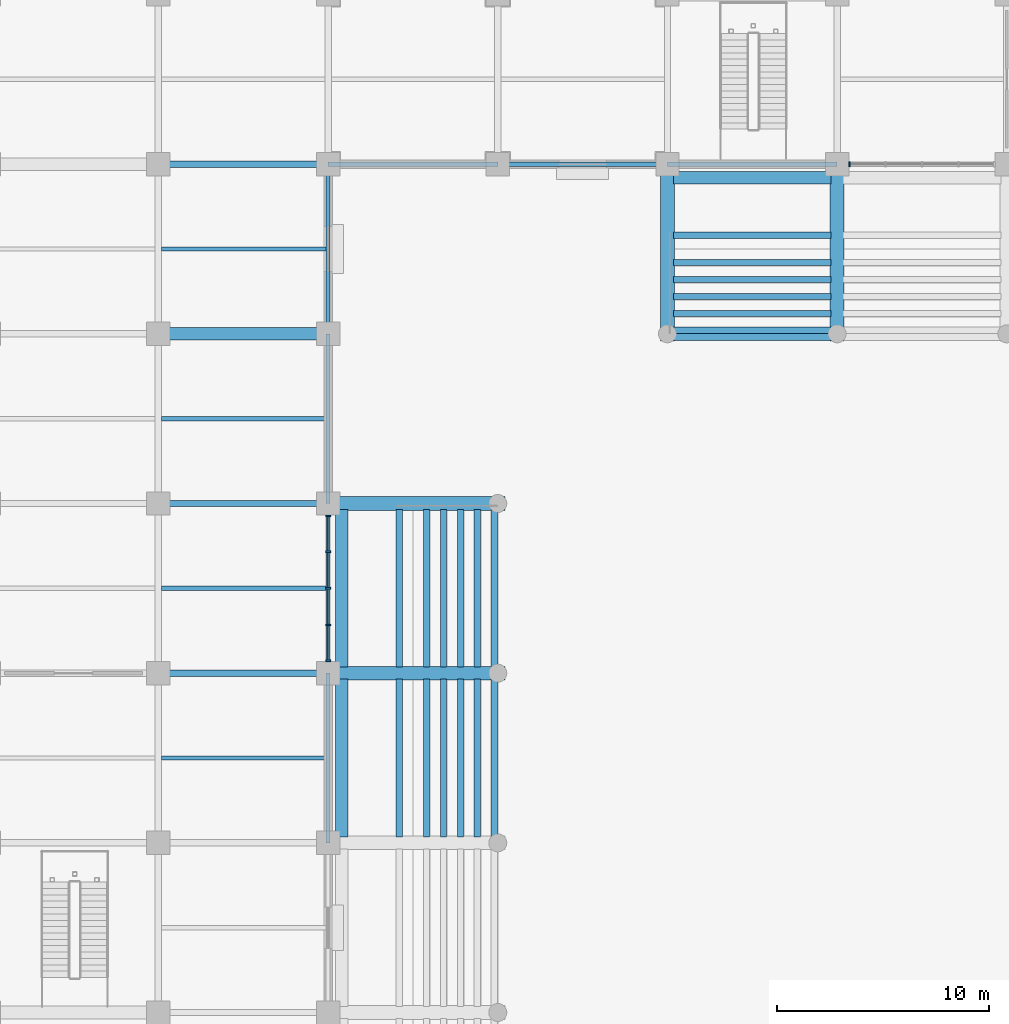
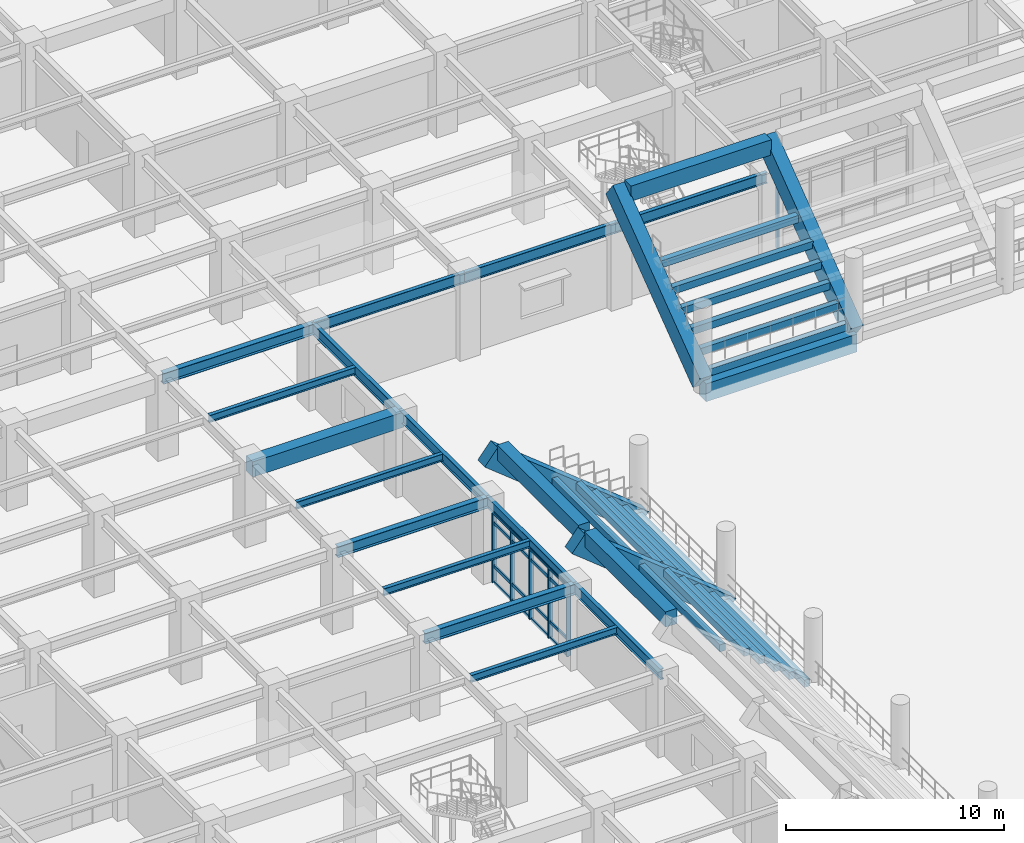
# One storey, part 45 of 125: 41 beams, 22 members, 2 elements without a shape of their own.
"""IFC4 building model written with IfcOpenShell, lengths in metres."""

from ifc_helpers import new_model, si_unit, direction, frame, origin, origin_2d, place, context, subcontext, project, spatial, rectangle, i_section, extrude, material, layer, layer_set, material_profile, profile_set, type_object, element, aggregate, save


model = new_model("IFC4")

# Units and contexts
model_context = context("Model", 3, precision=1e-05, world=origin(), true_north=direction((0.0, 1.0)))
body_context = subcontext(model_context, "Body", "Model", "MODEL_VIEW")
ifc_project = project(units=[si_unit("LENGTHUNIT", "METRE"), si_unit("AREAUNIT", "SQUARE_METRE"), si_unit("VOLUMEUNIT", "CUBIC_METRE"), si_unit("PLANEANGLEUNIT", "RADIAN"), si_unit("MASSUNIT", "GRAM", prefix="KILO")], contexts=[model_context])

# Site, building, storey
site_placement = place(None, origin())
site = spatial("IfcSite", under=ifc_project, at=site_placement, CompositionType="ELEMENT")
building_placement = place(site_placement, origin())
building = spatial("IfcBuilding", under=site, at=building_placement, Name="Haebicheon Civic Stadium", CompositionType="ELEMENT")
storey_placement = place(building_placement, origin())
storey = spatial("IfcBuildingStorey", under=building, at=storey_placement, Name="L01", CompositionType="ELEMENT", Elevation=0.0)

# Beams
ifc_material_1 = material(Name="Precast concrete C40/50", Category="concrete")
ifc_material_profile_1 = material_profile(ifc_material_1, rectangle(XDim=0.300048828125, YDim=0.39990234375, at=origin_2d()), Name="PC-LN-300x400")
ifc_profile_set_1 = profile_set([ifc_material_profile_1], Name="Precast concrete C40/50")
beam_type_1 = type_object("IfcBeamType", Name="BM-LN-300x400", PredefinedType="LINTEL", material=ifc_profile_set_1)
for number, where, z_axis, x_axis, name in (
    (1, (71.840087890625, 120.280029296875, 0.760009765625), (0.0, 1.0, 0.0), (-1.0, 0.0, 0.0), "TIER-W-L precast step carrier beam 10.1"),
    (2, (71.0400390625, 120.280029296875, 1.470947265625), (0.0, 1.0, 0.0), (-1.0, 0.0, 0.0), "TIER-W-L precast step carrier beam 10.2"),
    (3, (70.239990234375, 120.280029296875, 2.181884765625), (0.0, 1.0, 0.0), (-1.0, 0.0, 0.0), "TIER-W-L precast step carrier beam 10.3"),
    (4, (69.43994140625, 120.280029296875, 2.89306640625), (0.0, 1.0, 0.0), (-1.0, 0.0, 0.0), "TIER-W-L precast step carrier beam 10.4"),
    (5, (68.639892578125, 120.280029296875, 3.60400390625), (0.0, 1.0, 0.0), (-1.0, 0.0, 0.0), "TIER-W-L precast step carrier beam 10.5"),
    (6, (67.360107421875, 120.280029296875, 4.31591796875), (0.0, 1.0, 0.0), (-1.0, 0.0, 0.0), "TIER-W-L precast step carrier beam 10.6"),
    (7, (71.840087890625, 128.280029296875, 0.760009765625), (0.0, 1.0, 0.0), (-1.0, 0.0, 0.0), "TIER-W-L precast step carrier beam 11.1"),
    (8, (71.0400390625, 128.280029296875, 1.470947265625), (0.0, 1.0, 0.0), (-1.0, 0.0, 0.0), "TIER-W-L precast step carrier beam 11.2"),
    (9, (70.239990234375, 128.280029296875, 2.181884765625), (0.0, 1.0, 0.0), (-1.0, 0.0, 0.0), "TIER-W-L precast step carrier beam 11.3"),
    (10, (69.43994140625, 128.280029296875, 2.89306640625), (0.0, 1.0, 0.0), (-1.0, 0.0, 0.0), "TIER-W-L precast step carrier beam 11.4"),
    (11, (68.639892578125, 128.280029296875, 3.60400390625), (0.0, 1.0, 0.0), (-1.0, 0.0, 0.0), "TIER-W-L precast step carrier beam 11.5"),
    (12, (67.360107421875, 128.280029296875, 4.31591796875), (0.0, 1.0, 0.0), (-1.0, 0.0, 0.0), "TIER-W-L precast step carrier beam 11.6"),
    (13, (80.280029296875, 144.159912109375, 0.760009765625), (1.0, 0.0, 0.0), (0.0, 1.0, 0.0), "TIER-N-L precast step carrier beam 1.1"),
    (14, (80.280029296875, 144.9599609375, 1.427001953125), (1.0, 0.0, 0.0), (0.0, 1.0, 0.0), "TIER-N-L precast step carrier beam 1.2"),
    (15, (80.280029296875, 145.760009765625, 2.093017578125), (1.0, 0.0, 0.0), (0.0, 1.0, 0.0), "TIER-N-L precast step carrier beam 1.3"),
    (16, (80.280029296875, 146.56005859375, 2.760009765625), (1.0, 0.0, 0.0), (0.0, 1.0, 0.0), "TIER-N-L precast step carrier beam 1.4"),
    (17, (80.280029296875, 147.360107421875, 3.427001953125), (1.0, 0.0, 0.0), (0.0, 1.0, 0.0), "TIER-N-L precast step carrier beam 1.5"),
    (18, (80.280029296875, 148.639892578125, 4.093017578125), (1.0, 0.0, 0.0), (0.0, 1.0, 0.0), "TIER-N-L precast step carrier beam 1.6"),
):
    element("IfcBeam", number, at=place(storey_placement, frame(where, z_axis=z_axis, x_axis=x_axis)), inside=storey, type_object=beam_type_1, material=ifc_profile_set_1, Name=name, PredefinedType="LINTEL", context=body_context, shape_type="SweptSolid", body=[
        extrude(rectangle(XDim=0.300048828125, YDim=0.39990234375, at=origin_2d()), origin(), (0.0, 0.0, 1.0), 7.43994140625),
    ])
ifc_material_2 = material(Name="Concrete C40/50", Category="concrete")
ifc_material_profile_2 = material_profile(ifc_material_2, rectangle(XDim=0.64990234375, YDim=1.0, at=origin_2d()), Name="RC-BM-650x1000")
ifc_profile_set_2 = profile_set([ifc_material_profile_2], Name="Concrete C40/50")
beam_type_2 = type_object("IfcBeamType", Name="BM-RC-650x1000", PredefinedType="BEAM", material=ifc_profile_set_2)
beam_1_placement = place(storey_placement, frame((80.0, 144.0, -0.0400390625), z_axis=(1.0, 0.0, 0.0), x_axis=(0.0, 1.0, 0.0)))
element("IfcBeam", 19, at=beam_1_placement, inside=storey, type_object=beam_type_2, material=ifc_profile_set_2, Name="TIER-N-L nose support girder 1", PredefinedType="BEAM", context=body_context, shape_type="SweptSolid", body=[
    extrude(rectangle(XDim=0.64990234375, YDim=1.0, at=origin_2d()), origin(), (0.0, 0.0, 1.0), 8.0),
])
ifc_material_3 = material(Name="Steel SM355 (S355)", Category="steel")
ifc_material_profile_3 = material_profile(ifc_material_3, i_section(OverallWidth=0.300048828125, OverallDepth=0.60009765625, WebThickness=0.011962890625, FlangeThickness=0.02001953125, at=origin_2d()), Name="H-600x300x12x20")
ifc_profile_set_3 = profile_set([ifc_material_profile_3], Name="Steel SM355 (S355)")
beam_type_3 = type_object("IfcBeamType", Name="BM-ST-H600A", PredefinedType="BEAM", material=ifc_profile_set_3)
for number, where, z_axis, x_axis, name in (
    (20, (56.0, 128.0, 4.179931640625), (1.0, 0.0, 0.0), (0.0, 1.0, 0.0), "L01 beam S/8-9"),
    (21, (56.0, 136.0, 4.179931640625), (1.0, 0.0, 0.0), (0.0, 1.0, 0.0), "L01 beam T/8-9"),
    (22, (56.0, 152.0, 4.179931640625), (1.0, 0.0, 0.0), (0.0, 1.0, 0.0), "L01 beam V/8-9"),
):
    element("IfcBeam", number, at=place(storey_placement, frame(where, z_axis=z_axis, x_axis=x_axis)), inside=storey, type_object=beam_type_3, material=ifc_profile_set_3, Name=name, PredefinedType="BEAM", context=body_context, shape_type="SweptSolid", body=[
        extrude(i_section(OverallWidth=0.300048828125, OverallDepth=0.60009765625, WebThickness=0.011962890625, FlangeThickness=0.02001953125, at=origin_2d()), origin(), (0.0, 0.0, 1.0), 8.0),
    ])
ifc_material_4 = material(Name="Precast concrete C40/50", Category="concrete")
ifc_material_profile_4 = material_profile(ifc_material_4, rectangle(XDim=0.60009765625, YDim=0.85009765625, at=origin_2d()), Name="PC-TB-600x850")
ifc_profile_set_4 = profile_set([ifc_material_profile_4], Name="Precast concrete C40/50")
beam_type_4 = type_object("IfcBeamType", Name="BM-TB-600x850", PredefinedType="T_BEAM", material=ifc_profile_set_4)
beam_2_placement = place(storey_placement, frame((56.0, 144.0, 4.054931640625), z_axis=(1.0, 0.0, 0.0), x_axis=(0.0, 1.0, 0.0)))
element("IfcBeam", 23, at=beam_2_placement, inside=storey, type_object=beam_type_4, material=ifc_profile_set_4, Name="L01 beam U/8-9", PredefinedType="T_BEAM", context=body_context, shape_type="SweptSolid", body=[
    extrude(rectangle(XDim=0.60009765625, YDim=0.85009765625, at=origin_2d()), origin(), (0.0, 0.0, 1.0), 8.0),
])
for number, where, z_axis, x_axis, name in (
    (24, (64.639892578125, 120.280029296875, 6.93505859375), (0.0, 1.0, 0.0), (-1.0, 0.0, 0.0), "TIER-W-L upper tier bench carrier beam 10"),
    (25, (64.639892578125, 128.280029296875, 6.93505859375), (0.0, 1.0, 0.0), (-1.0, 0.0, 0.0), "TIER-W-L upper tier bench carrier beam 11"),
    (26, (80.280029296875, 151.360107421875, 6.534912109375), (1.0, 0.0, 0.0), (0.0, 1.0, 0.0), "TIER-N-L upper tier bench carrier beam 1"),
):
    element("IfcBeam", number, at=place(storey_placement, frame(where, z_axis=z_axis, x_axis=x_axis)), inside=storey, type_object=beam_type_4, material=ifc_profile_set_4, Name=name, PredefinedType="T_BEAM", context=body_context, shape_type="SweptSolid", body=[
        extrude(rectangle(XDim=0.60009765625, YDim=0.85009765625, at=origin_2d()), origin(), (0.0, 0.0, 1.0), 7.43994140625),
    ])

# Curtain wall, members
ifc_material_5 = material(Name="Anodised aluminium and laminated glass", Category="aluminium")
ifc_layer_1 = layer(ifc_material_5, 0.179931640625, Name="Anodised aluminium and laminated glass")
ifc_layer_set_1 = layer_set([ifc_layer_1], Name="Anodised aluminium and laminated glass")
curtain_wall_type_1 = type_object("IfcCurtainWallType", Name="CW-6900x3870", PredefinedType="NOTDEFINED", material=ifc_layer_set_1)
curtain_wall_1_placement = place(storey_placement, origin())
curtain_wall_1 = element("IfcCurtainWall", 27, at=curtain_wall_1_placement, inside=storey, type_object=curtain_wall_type_1, material=ifc_layer_set_1, Name="L01 unitised curtain wall 008", PredefinedType="NOTDEFINED")
ifc_material_6 = material(Name="Anodised aluminium 6063-T6", Category="aluminium")
ifc_material_profile_5 = material_profile(ifc_material_6, rectangle(XDim=0.080078125, YDim=0.239990234375, at=origin_2d()), Name="ALU-MULL-80x240")
ifc_profile_set_5 = profile_set([ifc_material_profile_5], Name="Anodised aluminium 6063-T6")
member_type_1 = type_object("IfcMemberType", Name="CWM-240x80", PredefinedType="MULLION", material=ifc_profile_set_5)
member_1_placement = place(storey_placement, frame((64.0, 128.590087890625, 0.0), z_axis=(0.0, 0.0, 1.0), x_axis=(0.0, 1.0, 0.0)))
member_1 = element("IfcMember", 28, at=member_1_placement, type_object=member_type_1, material=ifc_profile_set_5, Name="CW-L01-008 vertical mullion 1", PredefinedType="MULLION", context=body_context, shape_type="SweptSolid", body=[
    extrude(rectangle(XDim=0.080078125, YDim=0.239990234375, at=origin_2d()), origin(), (0.0, 0.0, 1.0), 3.8701171875),
])
member_2_placement = place(storey_placement, frame((64.0, 130.27490234375, 0.0), z_axis=(0.0, 0.0, 1.0), x_axis=(0.0, 1.0, 0.0)))
member_2 = element("IfcMember", 29, at=member_2_placement, type_object=member_type_1, material=ifc_profile_set_5, Name="CW-L01-008 vertical mullion 2", PredefinedType="MULLION", context=body_context, shape_type="SweptSolid", body=[
    extrude(rectangle(XDim=0.080078125, YDim=0.239990234375, at=origin_2d()), origin(), (0.0, 0.0, 1.0), 3.8701171875),
])
member_3_placement = place(storey_placement, frame((64.0, 132.0, 0.0), z_axis=(0.0, 0.0, 1.0), x_axis=(0.0, 1.0, 0.0)))
member_3 = element("IfcMember", 30, at=member_3_placement, type_object=member_type_1, material=ifc_profile_set_5, Name="CW-L01-008 vertical mullion 3", PredefinedType="MULLION", context=body_context, shape_type="SweptSolid", body=[
    extrude(rectangle(XDim=0.080078125, YDim=0.239990234375, at=origin_2d()), origin(), (0.0, 0.0, 1.0), 3.8701171875),
])
member_4_placement = place(storey_placement, frame((64.0, 133.72509765625, 0.0), z_axis=(0.0, 0.0, 1.0), x_axis=(0.0, 1.0, 0.0)))
member_4 = element("IfcMember", 31, at=member_4_placement, type_object=member_type_1, material=ifc_profile_set_5, Name="CW-L01-008 vertical mullion 4", PredefinedType="MULLION", context=body_context, shape_type="SweptSolid", body=[
    extrude(rectangle(XDim=0.080078125, YDim=0.239990234375, at=origin_2d()), origin(), (0.0, 0.0, 1.0), 3.8701171875),
])
member_5_placement = place(storey_placement, frame((64.0, 135.409912109375, 0.0), z_axis=(0.0, 0.0, 1.0), x_axis=(0.0, 1.0, 0.0)))
member_5 = element("IfcMember", 32, at=member_5_placement, type_object=member_type_1, material=ifc_profile_set_5, Name="CW-L01-008 vertical mullion 5", PredefinedType="MULLION", context=body_context, shape_type="SweptSolid", body=[
    extrude(rectangle(XDim=0.080078125, YDim=0.239990234375, at=origin_2d()), origin(), (0.0, 0.0, 1.0), 3.8701171875),
])

# Curtain wall, member
ifc_material_7 = material(Name="Anodised aluminium and laminated glass", Category="aluminium")
ifc_layer_2 = layer(ifc_material_7, 0.179931640625, Name="Anodised aluminium and laminated glass")
ifc_layer_set_2 = layer_set([ifc_layer_2], Name="Anodised aluminium and laminated glass")
curtain_wall_type_2 = type_object("IfcCurtainWallType", Name="CW-6900x3810", PredefinedType="NOTDEFINED", material=ifc_layer_set_2)
curtain_wall_2_placement = place(storey_placement, origin())
curtain_wall_2 = element("IfcCurtainWall", 33, at=curtain_wall_2_placement, inside=storey, type_object=curtain_wall_type_2, material=ifc_layer_set_2, Name="L01 unitised curtain wall 010", PredefinedType="NOTDEFINED")
member_6_placement = place(storey_placement, frame((88.590087890625, 152.0, 0.0), z_axis=(0.0, 0.0, 1.0), x_axis=(1.0, 0.0, 0.0)))
member_6 = element("IfcMember", 34, at=member_6_placement, type_object=member_type_1, material=ifc_profile_set_5, Name="CW-L01-010 vertical mullion 1", PredefinedType="MULLION", context=body_context, shape_type="SweptSolid", body=[
    extrude(rectangle(XDim=0.080078125, YDim=0.239990234375, at=origin_2d()), origin(), (0.0, 0.0, 1.0), 3.81005859375),
])
aggregate(curtain_wall_2, [member_6])

# Member
ifc_material_8 = material(Name="Anodised aluminium 6063-T6", Category="aluminium")
ifc_material_profile_6 = material_profile(ifc_material_8, rectangle(XDim=0.080078125, YDim=0.179931640625, at=origin_2d()), Name="ALU-TRAN-80x180")
ifc_profile_set_6 = profile_set([ifc_material_profile_6], Name="Anodised aluminium 6063-T6")
member_type_2 = type_object("IfcMemberType", Name="CWT-180x80", PredefinedType="NOTDEFINED", material=ifc_profile_set_6)
member_7_placement = place(storey_placement, frame((64.0, 128.6298828125, 0.0), z_axis=(0.0, 1.0, 0.0), x_axis=(-1.0, 0.0, 0.0)))
member_7 = element("IfcMember", 35, at=member_7_placement, type_object=member_type_2, material=ifc_profile_set_6, Name="CW-L01-008 horizontal transom 1.1", ObjectType="TRANSOM", PredefinedType="USERDEFINED", context=body_context, shape_type="SweptSolid", body=[
    extrude(rectangle(XDim=0.080078125, YDim=0.179931640625, at=origin_2d()), origin(), (0.0, 0.0, 1.0), 1.605224609375),
])

member_8_placement = place(storey_placement, frame((64.0, 128.6298828125, 0.89990234375), z_axis=(0.0, 1.0, 0.0), x_axis=(-1.0, 0.0, 0.0)))
member_8 = element("IfcMember", 36, at=member_8_placement, type_object=member_type_2, material=ifc_profile_set_6, Name="CW-L01-008 horizontal transom 1.2", ObjectType="TRANSOM", PredefinedType="USERDEFINED", context=body_context, shape_type="SweptSolid", body=[
    extrude(rectangle(XDim=0.080078125, YDim=0.179931640625, at=origin_2d()), origin(), (0.0, 0.0, 1.0), 1.605224609375),
])

member_9_placement = place(storey_placement, frame((64.0, 128.6298828125, 3.320068359375), z_axis=(0.0, 1.0, 0.0), x_axis=(-1.0, 0.0, 0.0)))
member_9 = element("IfcMember", 37, at=member_9_placement, type_object=member_type_2, material=ifc_profile_set_6, Name="CW-L01-008 horizontal transom 1.3", ObjectType="TRANSOM", PredefinedType="USERDEFINED", context=body_context, shape_type="SweptSolid", body=[
    extrude(rectangle(XDim=0.080078125, YDim=0.179931640625, at=origin_2d()), origin(), (0.0, 0.0, 1.0), 1.605224609375),
])

member_10_placement = place(storey_placement, frame((64.0, 128.6298828125, 3.8701171875), z_axis=(0.0, 1.0, 0.0), x_axis=(-1.0, 0.0, 0.0)))
member_10 = element("IfcMember", 38, at=member_10_placement, type_object=member_type_2, material=ifc_profile_set_6, Name="CW-L01-008 horizontal transom 1.4", ObjectType="TRANSOM", PredefinedType="USERDEFINED", context=body_context, shape_type="SweptSolid", body=[
    extrude(rectangle(XDim=0.080078125, YDim=0.179931640625, at=origin_2d()), origin(), (0.0, 0.0, 1.0), 1.605224609375),
])

member_11_placement = place(storey_placement, frame((64.0, 130.31494140625, 0.0), z_axis=(0.0, 1.0, 0.0), x_axis=(-1.0, 0.0, 0.0)))
member_11 = element("IfcMember", 39, at=member_11_placement, type_object=member_type_2, material=ifc_profile_set_6, Name="CW-L01-008 horizontal transom 2.1", ObjectType="TRANSOM", PredefinedType="USERDEFINED", context=body_context, shape_type="SweptSolid", body=[
    extrude(rectangle(XDim=0.080078125, YDim=0.179931640625, at=origin_2d()), origin(), (0.0, 0.0, 1.0), 1.64501953125),
])

member_12_placement = place(storey_placement, frame((64.0, 130.31494140625, 0.89990234375), z_axis=(0.0, 1.0, 0.0), x_axis=(-1.0, 0.0, 0.0)))
member_12 = element("IfcMember", 40, at=member_12_placement, type_object=member_type_2, material=ifc_profile_set_6, Name="CW-L01-008 horizontal transom 2.2", ObjectType="TRANSOM", PredefinedType="USERDEFINED", context=body_context, shape_type="SweptSolid", body=[
    extrude(rectangle(XDim=0.080078125, YDim=0.179931640625, at=origin_2d()), origin(), (0.0, 0.0, 1.0), 1.64501953125),
])

member_13_placement = place(storey_placement, frame((64.0, 130.31494140625, 3.320068359375), z_axis=(0.0, 1.0, 0.0), x_axis=(-1.0, 0.0, 0.0)))
member_13 = element("IfcMember", 41, at=member_13_placement, type_object=member_type_2, material=ifc_profile_set_6, Name="CW-L01-008 horizontal transom 2.3", ObjectType="TRANSOM", PredefinedType="USERDEFINED", context=body_context, shape_type="SweptSolid", body=[
    extrude(rectangle(XDim=0.080078125, YDim=0.179931640625, at=origin_2d()), origin(), (0.0, 0.0, 1.0), 1.64501953125),
])

member_14_placement = place(storey_placement, frame((64.0, 130.31494140625, 3.8701171875), z_axis=(0.0, 1.0, 0.0), x_axis=(-1.0, 0.0, 0.0)))
member_14 = element("IfcMember", 42, at=member_14_placement, type_object=member_type_2, material=ifc_profile_set_6, Name="CW-L01-008 horizontal transom 2.4", ObjectType="TRANSOM", PredefinedType="USERDEFINED", context=body_context, shape_type="SweptSolid", body=[
    extrude(rectangle(XDim=0.080078125, YDim=0.179931640625, at=origin_2d()), origin(), (0.0, 0.0, 1.0), 1.64501953125),
])

member_15_placement = place(storey_placement, frame((64.0, 132.0400390625, 0.0), z_axis=(0.0, 1.0, 0.0), x_axis=(-1.0, 0.0, 0.0)))
member_15 = element("IfcMember", 43, at=member_15_placement, type_object=member_type_2, material=ifc_profile_set_6, Name="CW-L01-008 horizontal transom 3.1", ObjectType="TRANSOM", PredefinedType="USERDEFINED", context=body_context, shape_type="SweptSolid", body=[
    extrude(rectangle(XDim=0.080078125, YDim=0.179931640625, at=origin_2d()), origin(), (0.0, 0.0, 1.0), 1.64501953125),
])

member_16_placement = place(storey_placement, frame((64.0, 132.0400390625, 0.89990234375), z_axis=(0.0, 1.0, 0.0), x_axis=(-1.0, 0.0, 0.0)))
member_16 = element("IfcMember", 44, at=member_16_placement, type_object=member_type_2, material=ifc_profile_set_6, Name="CW-L01-008 horizontal transom 3.2", ObjectType="TRANSOM", PredefinedType="USERDEFINED", context=body_context, shape_type="SweptSolid", body=[
    extrude(rectangle(XDim=0.080078125, YDim=0.179931640625, at=origin_2d()), origin(), (0.0, 0.0, 1.0), 1.64501953125),
])

member_17_placement = place(storey_placement, frame((64.0, 132.0400390625, 3.320068359375), z_axis=(0.0, 1.0, 0.0), x_axis=(-1.0, 0.0, 0.0)))
member_17 = element("IfcMember", 45, at=member_17_placement, type_object=member_type_2, material=ifc_profile_set_6, Name="CW-L01-008 horizontal transom 3.3", ObjectType="TRANSOM", PredefinedType="USERDEFINED", context=body_context, shape_type="SweptSolid", body=[
    extrude(rectangle(XDim=0.080078125, YDim=0.179931640625, at=origin_2d()), origin(), (0.0, 0.0, 1.0), 1.64501953125),
])

member_18_placement = place(storey_placement, frame((64.0, 132.0400390625, 3.8701171875), z_axis=(0.0, 1.0, 0.0), x_axis=(-1.0, 0.0, 0.0)))
member_18 = element("IfcMember", 46, at=member_18_placement, type_object=member_type_2, material=ifc_profile_set_6, Name="CW-L01-008 horizontal transom 3.4", ObjectType="TRANSOM", PredefinedType="USERDEFINED", context=body_context, shape_type="SweptSolid", body=[
    extrude(rectangle(XDim=0.080078125, YDim=0.179931640625, at=origin_2d()), origin(), (0.0, 0.0, 1.0), 1.64501953125),
])

member_19_placement = place(storey_placement, frame((64.0, 133.764892578125, 0.0), z_axis=(0.0, 1.0, 0.0), x_axis=(-1.0, 0.0, 0.0)))
member_19 = element("IfcMember", 47, at=member_19_placement, type_object=member_type_2, material=ifc_profile_set_6, Name="CW-L01-008 horizontal transom 4.1", ObjectType="TRANSOM", PredefinedType="USERDEFINED", context=body_context, shape_type="SweptSolid", body=[
    extrude(rectangle(XDim=0.080078125, YDim=0.179931640625, at=origin_2d()), origin(), (0.0, 0.0, 1.0), 1.605224609375),
])

member_20_placement = place(storey_placement, frame((64.0, 133.764892578125, 0.89990234375), z_axis=(0.0, 1.0, 0.0), x_axis=(-1.0, 0.0, 0.0)))
member_20 = element("IfcMember", 48, at=member_20_placement, type_object=member_type_2, material=ifc_profile_set_6, Name="CW-L01-008 horizontal transom 4.2", ObjectType="TRANSOM", PredefinedType="USERDEFINED", context=body_context, shape_type="SweptSolid", body=[
    extrude(rectangle(XDim=0.080078125, YDim=0.179931640625, at=origin_2d()), origin(), (0.0, 0.0, 1.0), 1.605224609375),
])

member_21_placement = place(storey_placement, frame((64.0, 133.764892578125, 3.320068359375), z_axis=(0.0, 1.0, 0.0), x_axis=(-1.0, 0.0, 0.0)))
member_21 = element("IfcMember", 49, at=member_21_placement, type_object=member_type_2, material=ifc_profile_set_6, Name="CW-L01-008 horizontal transom 4.3", ObjectType="TRANSOM", PredefinedType="USERDEFINED", context=body_context, shape_type="SweptSolid", body=[
    extrude(rectangle(XDim=0.080078125, YDim=0.179931640625, at=origin_2d()), origin(), (0.0, 0.0, 1.0), 1.605224609375),
])

member_22_placement = place(storey_placement, frame((64.0, 133.764892578125, 3.8701171875), z_axis=(0.0, 1.0, 0.0), x_axis=(-1.0, 0.0, 0.0)))
member_22 = element("IfcMember", 50, at=member_22_placement, type_object=member_type_2, material=ifc_profile_set_6, Name="CW-L01-008 horizontal transom 4.4", ObjectType="TRANSOM", PredefinedType="USERDEFINED", context=body_context, shape_type="SweptSolid", body=[
    extrude(rectangle(XDim=0.080078125, YDim=0.179931640625, at=origin_2d()), origin(), (0.0, 0.0, 1.0), 1.605224609375),
])

aggregate(curtain_wall_1, [member_1, member_2, member_3, member_4, member_5, member_7, member_8, member_9, member_10, member_11, member_12, member_13, member_14, member_15, member_16, member_17, member_18, member_19, member_20, member_21, member_22])

# Beams
ifc_material_9 = material(Name="Steel SM355 (S355)", Category="steel")
ifc_material_profile_7 = material_profile(ifc_material_9, i_section(OverallWidth=0.199951171875, OverallDepth=0.39990234375, WebThickness=0.008056640625, FlangeThickness=0.012939453125, at=origin_2d()), Name="H-400x200x8x13")
ifc_profile_set_7 = profile_set([ifc_material_profile_7], Name="Steel SM355 (S355)")
beam_type_5 = type_object("IfcBeamType", Name="JST-ST-H400", PredefinedType="JOIST", material=ifc_profile_set_7)
for number, where, z_axis, x_axis, name in (
    (51, (56.14990234375, 124.0, 4.280029296875), (1.0, 0.0, 0.0), (0.0, 1.0, 0.0), "L01 secondary joist 07-15"),
    (52, (56.14990234375, 132.0, 4.280029296875), (1.0, 0.0, 0.0), (0.0, 1.0, 0.0), "L01 secondary joist 07-16"),
    (53, (56.14990234375, 140.0, 4.280029296875), (1.0, 0.0, 0.0), (0.0, 1.0, 0.0), "L01 secondary joist 07-17"),
    (54, (56.14990234375, 148.0, 4.280029296875), (1.0, 0.0, 0.0), (0.0, 1.0, 0.0), "L01 secondary joist 07-18"),
):
    element("IfcBeam", number, at=place(storey_placement, frame(where, z_axis=z_axis, x_axis=x_axis)), inside=storey, type_object=beam_type_5, material=ifc_profile_set_7, Name=name, PredefinedType="JOIST", context=body_context, shape_type="SweptSolid", body=[
        extrude(i_section(OverallWidth=0.199951171875, OverallDepth=0.39990234375, WebThickness=0.008056640625, FlangeThickness=0.012939453125, at=origin_2d()), origin(), (0.0, 0.0, 1.0), 7.75),
    ])
ifc_material_10 = material(Name="Precast concrete C40/50", Category="concrete")
ifc_material_profile_8 = material_profile(ifc_material_10, rectangle(XDim=0.64990234375, YDim=1.10009765625, at=origin_2d()), Name="PC-RK-650x1100")
ifc_profile_set_8 = profile_set([ifc_material_profile_8], Name="Precast concrete C40/50")
beam_type_6 = type_object("IfcBeamType", Name="RK-PC-650x1100", PredefinedType="USERDEFINED", material=ifc_profile_set_8)
for number, where, z_axis, x_axis, name in (
    (55, (72.0, 128.0, 0.409912109375), (-0.780861834757, 0.0, 0.624703765813), (0.0, -1.0, 0.0), "TIER-W-L inclined precast raker beam 11"),
    (56, (72.0, 136.0, 0.409912109375), (-0.780861834757, 0.0, 0.624703765813), (0.0, -1.0, 0.0), "TIER-W-L inclined precast raker beam 12"),
):
    element("IfcBeam", number, at=place(storey_placement, frame(where, z_axis=z_axis, x_axis=x_axis)), inside=storey, type_object=beam_type_6, material=ifc_profile_set_8, Name=name, ObjectType="RAKER BEAM", PredefinedType="USERDEFINED", context=body_context, shape_type="SweptSolid", body=[
        extrude(rectangle(XDim=0.64990234375, YDim=1.10009765625, at=origin_2d()), origin(), (0.0, 0.0, 1.0), 10.2451171875),
    ])
for number, where, z_axis, x_axis, name in (
    (57, (80.0, 144.0, 0.409912109375), (0.0, 0.8, 0.6), (-1.0, 0.0, 0.0), "TIER-N-L inclined precast raker beam 1"),
    (58, (88.0, 144.0, 0.409912109375), (0.0, 0.8, 0.6), (-1.0, 0.0, 0.0), "TIER-N-L inclined precast raker beam 2"),
):
    element("IfcBeam", number, at=place(storey_placement, frame(where, z_axis=z_axis, x_axis=x_axis)), inside=storey, type_object=beam_type_6, material=ifc_profile_set_8, Name=name, ObjectType="RAKER BEAM", PredefinedType="USERDEFINED", context=body_context, shape_type="SweptSolid", body=[
        extrude(rectangle(XDim=0.64990234375, YDim=1.10009765625, at=origin_2d()), origin(), (0.0, 0.0, 1.0), 10.0),
    ])
ifc_material_11 = material(Name="Steel SM355 (S355)", Category="steel")
ifc_material_profile_9 = material_profile(ifc_material_11, i_section(OverallWidth=0.199951171875, OverallDepth=0.60009765625, WebThickness=0.010986328125, FlangeThickness=0.01708984375, at=origin_2d()), Name="H-600x200x11x17")
ifc_profile_set_9 = profile_set([ifc_material_profile_9], Name="Steel SM355 (S355)")
beam_type_7 = type_object("IfcBeamType", Name="SPD-ST-H600B", PredefinedType="SPANDREL", material=ifc_profile_set_9)
for number, where, z_axis, x_axis, name in (
    (59, (64.0, 120.0, 4.179931640625), (0.0, 1.0, 0.0), (-1.0, 0.0, 0.0), "L01 girder 9/R-S"),
    (60, (64.0, 128.0, 4.179931640625), (0.0, 1.0, 0.0), (-1.0, 0.0, 0.0), "L01 girder 9/S-T"),
    (61, (64.0, 136.0, 4.179931640625), (0.0, 1.0, 0.0), (-1.0, 0.0, 0.0), "L01 girder 9/T-U"),
    (62, (64.0, 144.0, 4.179931640625), (0.0, 1.0, 0.0), (-1.0, 0.0, 0.0), "L01 girder 9/U-V"),
    (63, (64.0, 152.0, 4.219970703125), (1.0, 0.0, 0.0), (0.0, 1.0, 0.0), "L01 beam V/9-10"),
    (64, (72.0, 152.0, 4.219970703125), (1.0, 0.0, 0.0), (0.0, 1.0, 0.0), "L01 beam V/10-11"),
    (65, (80.0, 152.0, 4.219970703125), (1.0, 0.0, 0.0), (0.0, 1.0, 0.0), "L01 beam V/11-12"),
):
    element("IfcBeam", number, at=place(storey_placement, frame(where, z_axis=z_axis, x_axis=x_axis)), inside=storey, type_object=beam_type_7, material=ifc_profile_set_9, Name=name, PredefinedType="SPANDREL", context=body_context, shape_type="SweptSolid", body=[
        extrude(i_section(OverallWidth=0.199951171875, OverallDepth=0.60009765625, WebThickness=0.010986328125, FlangeThickness=0.01708984375, at=origin_2d()), origin(), (0.0, 0.0, 1.0), 8.0),
    ])

save(model, "model.ifc")
